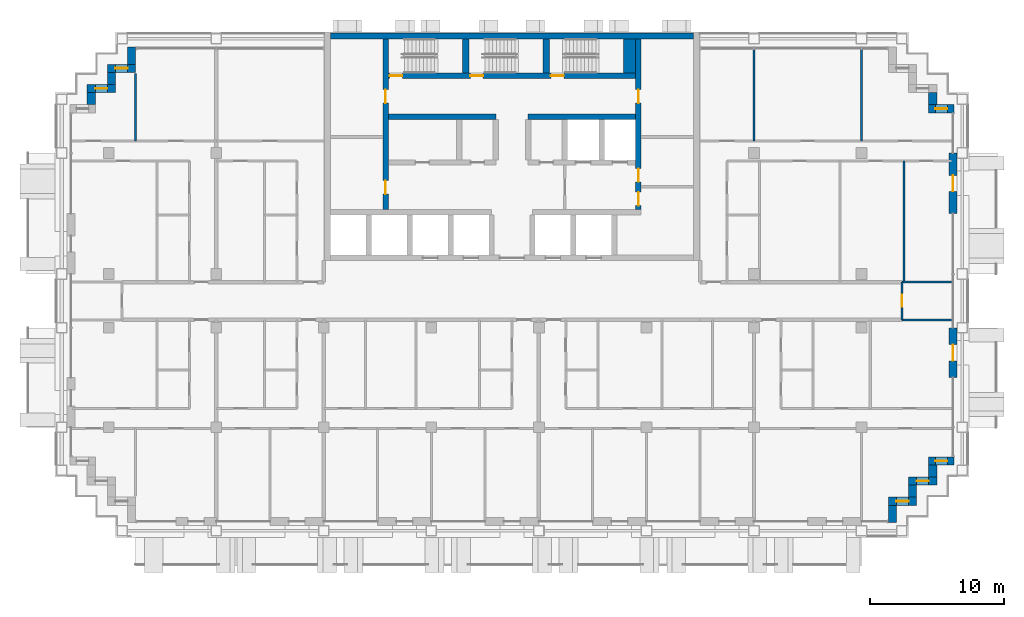
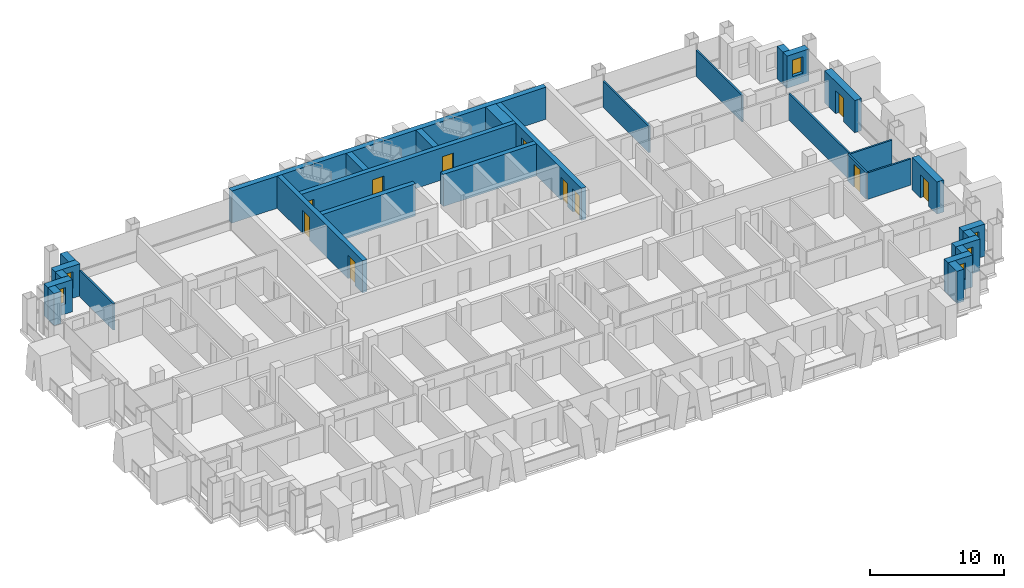
# One storey, part 12 of 18: 31 walls, 11 doors, 6 windows, 17 openings.
"""IFC4 building model written with IfcOpenShell, lengths in metres."""

from ifc_helpers import new_model, si_unit, direction, frame, frame_2d, origin, place, context, subcontext, project, spatial, rectangle, extrude, material, layer, layer_set, type_object, element, fill, save


model = new_model("IFC4")

# Units and contexts
model_context = context("Model", 3, precision=1e-05, world=origin(), true_north=direction((0.0, 1.0)))
body_context = subcontext(model_context, "Body", "Model", "MODEL_VIEW")
ifc_project = project(units=[si_unit("LENGTHUNIT", "METRE"), si_unit("AREAUNIT", "SQUARE_METRE"), si_unit("VOLUMEUNIT", "CUBIC_METRE"), si_unit("PLANEANGLEUNIT", "RADIAN"), si_unit("MASSUNIT", "GRAM", prefix="KILO")], contexts=[model_context])

# Site, building, storey
site_placement = place(None, origin())
site = spatial("IfcSite", under=ifc_project, at=site_placement, CompositionType="ELEMENT")
building_placement = place(site_placement, origin())
building = spatial("IfcBuilding", under=site, at=building_placement, Name="Vidyagriha Tower", CompositionType="ELEMENT")
storey_placement = place(building_placement, frame((0.0, 0.0, 126.199951171875)))
storey = spatial("IfcBuildingStorey", under=building, at=storey_placement, Name="L32", CompositionType="ELEMENT", Elevation=126.199951171875)

# Wall, opening, window
ifc_material_1 = material(Name="Precast concrete C40/50 with brick facing", Category="concrete")
ifc_layer_1 = layer(ifc_material_1, 0.60009765625)
ifc_layer_set_1 = layer_set([ifc_layer_1], Name="Precast concrete C40/50 with brick facing")
wall_type_1 = type_object("IfcWallType", Name="Brick-faced precast wall 600", PredefinedType="STANDARD", material=ifc_layer_set_1)
wall_1_placement = place(storey_placement, frame((32.8798828125, 14.300048828125, 0.0), z_axis=(0.0, 0.0, 1.0), x_axis=(-1.0, 0.0, 0.0)))
wall_1 = element("IfcWall", 1, at=wall_1_placement, inside=storey, type_object=wall_type_1, Name="Stepped corner wall L32 R01", PredefinedType="STANDARD", context=body_context, shape_type="SweptSolid", body=[
    extrude(rectangle(XDim=1.8798828125, YDim=0.60009765625, at=frame_2d((0.93994140625, 0.0))), origin(), (0.0, 0.0, 1.0), 2.920166015625),
])
opening_1_placement = place(wall_1_placement, frame((0.489990234375, 0.0, 0.89990234375)))
opening_1 = element("IfcOpeningElement", 2, at=opening_1_placement, cuts=wall_1, Name="Opening WN1", PredefinedType="OPENING", context=body_context, shape_type="SweptSolid", body=[
    extrude(rectangle(XDim=0.89990234375, YDim=1.5, at=frame_2d((0.449951171875, 0.75))), frame((0.0, 0.31005859375, 0.0), z_axis=(0.0, -1.0, 0.0), x_axis=(1.0, 0.0, 0.0)), (0.0, 0.0, 1.0), 0.6201171875),
])
ifc_material_2 = material(Name="Aluminium and glass window", Category="aluminium")
window_type = type_object("IfcWindowType", Name="Reveal window 900x1500", PartitioningType="NOTDEFINED", PredefinedType="WINDOW", material=ifc_material_2)
window_1_placement = place(opening_1_placement, origin())
window_1 = element("IfcWindow", 3, at=window_1_placement, inside=storey, type_object=window_type, Name="Reveal window L32 R01", OverallHeight=1.5, OverallWidth=0.89990234375, PartitioningType="SINGLE_PANEL", PredefinedType="WINDOW", context=body_context, shape_type="SweptSolid", body=[
    extrude(rectangle(XDim=0.89990234375, YDim=1.5, at=frame_2d((0.449951171875, 0.75))), frame((0.0, 0.030029296875, 0.0), z_axis=(0.0, -1.0, 0.0), x_axis=(1.0, 0.0, 0.0)), (0.0, 0.0, 1.0), 0.06005859375),
])
fill(opening_1, window_1)

# Walls
wall_2_placement = place(storey_placement, frame((31.300048828125, 14.60009765625, 0.0), z_axis=(0.0, 0.0, 1.0), x_axis=(0.0, 1.0, 0.0)))
element("IfcWall", 4, at=wall_2_placement, inside=storey, type_object=wall_type_1, Name="Stepped corner wall L32 R02", PredefinedType="STANDARD", context=body_context, shape_type="SweptSolid", body=[
    extrude(rectangle(XDim=0.89990234375, YDim=0.60009765625, at=frame_2d((0.449951171875, 0.0))), origin(), (0.0, 0.0, 1.0), 2.920166015625),
])
wall_3_placement = place(storey_placement, frame((-28.300048828125, 18.8798828125, 0.0), z_axis=(0.0, 0.0, 1.0), x_axis=(0.0, -1.0, 0.0)))
element("IfcWall", 5, at=wall_3_placement, inside=storey, type_object=wall_type_1, Name="Stepped corner wall L32 R10", PredefinedType="STANDARD", context=body_context, shape_type="SweptSolid", body=[
    extrude(rectangle(XDim=1.27978515625, YDim=0.60009765625, at=frame_2d((0.639892578125, 0.0))), origin(), (0.0, 0.0, 1.0), 2.920166015625),
])

# Wall, opening, window
wall_4_placement = place(storey_placement, frame((-28.0, 17.300048828125, 0.0), z_axis=(0.0, 0.0, 1.0), x_axis=(-1.0, 0.0, 0.0)))
wall_4 = element("IfcWall", 6, at=wall_4_placement, inside=storey, type_object=wall_type_1, Name="Stepped corner wall L32 R11", PredefinedType="STANDARD", context=body_context, shape_type="SweptSolid", body=[
    extrude(rectangle(XDim=2.10009765625, YDim=0.60009765625, at=frame_2d((1.050048828125, 0.0))), origin(), (0.0, 0.0, 1.0), 2.920166015625),
])
opening_2_placement = place(wall_4_placement, frame((0.60009765625, 0.0, 0.89990234375)))
opening_2 = element("IfcOpeningElement", 7, at=opening_2_placement, cuts=wall_4, Name="Opening WN1", PredefinedType="OPENING", context=body_context, shape_type="SweptSolid", body=[
    extrude(rectangle(XDim=0.89990234375, YDim=1.5, at=frame_2d((0.449951171875, 0.75))), frame((0.0, 0.31005859375, 0.0), z_axis=(0.0, -1.0, 0.0), x_axis=(1.0, 0.0, 0.0)), (0.0, 0.0, 1.0), 0.6201171875),
])
window_2_placement = place(opening_2_placement, origin())
window_2 = element("IfcWindow", 8, at=window_2_placement, inside=storey, type_object=window_type, Name="Reveal window L32 R11", OverallHeight=1.5, OverallWidth=0.89990234375, PartitioningType="SINGLE_PANEL", PredefinedType="WINDOW", context=body_context, shape_type="SweptSolid", body=[
    extrude(rectangle(XDim=0.89990234375, YDim=1.5, at=frame_2d((0.449951171875, 0.75))), frame((0.0, 0.030029296875, 0.0), z_axis=(0.0, -1.0, 0.0), x_axis=(1.0, 0.0, 0.0)), (0.0, 0.0, 1.0), 0.06005859375),
])
fill(opening_2, window_2)

# Wall
wall_5_placement = place(storey_placement, frame((-29.800048828125, 17.0, 0.0), z_axis=(0.0, 0.0, 1.0), x_axis=(0.0, -1.0, 0.0)))
element("IfcWall", 9, at=wall_5_placement, inside=storey, type_object=wall_type_1, Name="Stepped corner wall L32 R12", PredefinedType="STANDARD", context=body_context, shape_type="SweptSolid", body=[
    extrude(rectangle(XDim=0.89990234375, YDim=0.60009765625, at=frame_2d((0.449951171875, 0.0))), origin(), (0.0, 0.0, 1.0), 2.920166015625),
])

# Wall, opening, window
wall_6_placement = place(storey_placement, frame((-29.5, 15.800048828125, 0.0), z_axis=(0.0, 0.0, 1.0), x_axis=(-1.0, 0.0, 0.0)))
wall_6 = element("IfcWall", 10, at=wall_6_placement, inside=storey, type_object=wall_type_1, Name="Stepped corner wall L32 R13", PredefinedType="STANDARD", context=body_context, shape_type="SweptSolid", body=[
    extrude(rectangle(XDim=2.10009765625, YDim=0.60009765625, at=frame_2d((1.050048828125, 0.0))), origin(), (0.0, 0.0, 1.0), 2.920166015625),
])
opening_3_placement = place(wall_6_placement, frame((0.60009765625, 0.0, 0.89990234375)))
opening_3 = element("IfcOpeningElement", 11, at=opening_3_placement, cuts=wall_6, Name="Opening WN1", PredefinedType="OPENING", context=body_context, shape_type="SweptSolid", body=[
    extrude(rectangle(XDim=0.89990234375, YDim=1.5, at=frame_2d((0.449951171875, 0.75))), frame((0.0, 0.31005859375, 0.0), z_axis=(0.0, -1.0, 0.0), x_axis=(1.0, 0.0, 0.0)), (0.0, 0.0, 1.0), 0.6201171875),
])
window_3_placement = place(opening_3_placement, origin())
window_3 = element("IfcWindow", 12, at=window_3_placement, inside=storey, type_object=window_type, Name="Reveal window L32 R13", OverallHeight=1.5, OverallWidth=0.89990234375, PartitioningType="SINGLE_PANEL", PredefinedType="WINDOW", context=body_context, shape_type="SweptSolid", body=[
    extrude(rectangle(XDim=0.89990234375, YDim=1.5, at=frame_2d((0.449951171875, 0.75))), frame((0.0, 0.030029296875, 0.0), z_axis=(0.0, -1.0, 0.0), x_axis=(1.0, 0.0, 0.0)), (0.0, 0.0, 1.0), 0.06005859375),
])
fill(opening_3, window_3)

# Walls
wall_7_placement = place(storey_placement, frame((-31.300048828125, 15.5, 0.0), z_axis=(0.0, 0.0, 1.0), x_axis=(0.0, -1.0, 0.0)))
element("IfcWall", 13, at=wall_7_placement, inside=storey, type_object=wall_type_1, Name="Stepped corner wall L32 R14", PredefinedType="STANDARD", context=body_context, shape_type="SweptSolid", body=[
    extrude(rectangle(XDim=0.89990234375, YDim=0.60009765625, at=frame_2d((0.449951171875, 0.0))), origin(), (0.0, 0.0, 1.0), 2.920166015625),
])
wall_8_placement = place(storey_placement, frame((28.300048828125, -16.47998046875, 0.0), z_axis=(0.0, 0.0, 1.0), x_axis=(0.0, 1.0, 0.0)))
element("IfcWall", 14, at=wall_8_placement, inside=storey, type_object=wall_type_1, Name="Stepped corner wall L32 R24", PredefinedType="STANDARD", context=body_context, shape_type="SweptSolid", body=[
    extrude(rectangle(XDim=1.280029296875, YDim=0.60009765625, at=frame_2d((0.64013671875, 0.0))), origin(), (0.0, 0.0, 1.0), 2.920166015625),
])

# Wall, opening, window
wall_9_placement = place(storey_placement, frame((28.0, -14.89990234375, 0.0)))
wall_9 = element("IfcWall", 15, at=wall_9_placement, inside=storey, type_object=wall_type_1, Name="Stepped corner wall L32 R25", PredefinedType="STANDARD", context=body_context, shape_type="SweptSolid", body=[
    extrude(rectangle(XDim=2.10009765625, YDim=0.60009765625, at=frame_2d((1.050048828125, 0.0))), origin(), (0.0, 0.0, 1.0), 2.920166015625),
])
opening_4_placement = place(wall_9_placement, frame((0.60009765625, 0.0, 0.89990234375)))
opening_4 = element("IfcOpeningElement", 16, at=opening_4_placement, cuts=wall_9, Name="Opening WN1", PredefinedType="OPENING", context=body_context, shape_type="SweptSolid", body=[
    extrude(rectangle(XDim=0.89990234375, YDim=1.5, at=frame_2d((0.449951171875, 0.75))), frame((0.0, 0.31005859375, 0.0), z_axis=(0.0, -1.0, 0.0), x_axis=(1.0, 0.0, 0.0)), (0.0, 0.0, 1.0), 0.6201171875),
])
window_4_placement = place(opening_4_placement, origin())
window_4 = element("IfcWindow", 17, at=window_4_placement, inside=storey, type_object=window_type, Name="Reveal window L32 R25", OverallHeight=1.5, OverallWidth=0.89990234375, PartitioningType="SINGLE_PANEL", PredefinedType="WINDOW", context=body_context, shape_type="SweptSolid", body=[
    extrude(rectangle(XDim=0.89990234375, YDim=1.5, at=frame_2d((0.449951171875, 0.75))), frame((0.0, 0.030029296875, 0.0), z_axis=(0.0, -1.0, 0.0), x_axis=(1.0, 0.0, 0.0)), (0.0, 0.0, 1.0), 0.06005859375),
])
fill(opening_4, window_4)

# Wall
wall_10_placement = place(storey_placement, frame((29.800048828125, -14.60009765625, 0.0), z_axis=(0.0, 0.0, 1.0), x_axis=(0.0, 1.0, 0.0)))
element("IfcWall", 18, at=wall_10_placement, inside=storey, type_object=wall_type_1, Name="Stepped corner wall L32 R26", PredefinedType="STANDARD", context=body_context, shape_type="SweptSolid", body=[
    extrude(rectangle(XDim=0.900146484375, YDim=0.60009765625, at=frame_2d((0.4501953125, 0.0))), origin(), (0.0, 0.0, 1.0), 2.920166015625),
])

# Wall, opening, window
wall_11_placement = place(storey_placement, frame((29.5, -13.39990234375, 0.0)))
wall_11 = element("IfcWall", 19, at=wall_11_placement, inside=storey, type_object=wall_type_1, Name="Stepped corner wall L32 R27", PredefinedType="STANDARD", context=body_context, shape_type="SweptSolid", body=[
    extrude(rectangle(XDim=2.10009765625, YDim=0.60009765625, at=frame_2d((1.050048828125, 0.0))), origin(), (0.0, 0.0, 1.0), 2.920166015625),
])
opening_5_placement = place(wall_11_placement, frame((0.60009765625, 0.0, 0.89990234375)))
opening_5 = element("IfcOpeningElement", 20, at=opening_5_placement, cuts=wall_11, Name="Opening WN1", PredefinedType="OPENING", context=body_context, shape_type="SweptSolid", body=[
    extrude(rectangle(XDim=0.89990234375, YDim=1.5, at=frame_2d((0.449951171875, 0.75))), frame((0.0, 0.31005859375, 0.0), z_axis=(0.0, -1.0, 0.0), x_axis=(1.0, 0.0, 0.0)), (0.0, 0.0, 1.0), 0.6201171875),
])
window_5_placement = place(opening_5_placement, origin())
window_5 = element("IfcWindow", 21, at=window_5_placement, inside=storey, type_object=window_type, Name="Reveal window L32 R27", OverallHeight=1.5, OverallWidth=0.89990234375, PartitioningType="SINGLE_PANEL", PredefinedType="WINDOW", context=body_context, shape_type="SweptSolid", body=[
    extrude(rectangle(XDim=0.89990234375, YDim=1.5, at=frame_2d((0.449951171875, 0.75))), frame((0.0, 0.030029296875, 0.0), z_axis=(0.0, -1.0, 0.0), x_axis=(1.0, 0.0, 0.0)), (0.0, 0.0, 1.0), 0.06005859375),
])
fill(opening_5, window_5)

# Wall
wall_12_placement = place(storey_placement, frame((31.300048828125, -13.10009765625, 0.0), z_axis=(0.0, 0.0, 1.0), x_axis=(0.0, 1.0, 0.0)))
element("IfcWall", 22, at=wall_12_placement, inside=storey, type_object=wall_type_1, Name="Stepped corner wall L32 R28", PredefinedType="STANDARD", context=body_context, shape_type="SweptSolid", body=[
    extrude(rectangle(XDim=0.900146484375, YDim=0.60009765625, at=frame_2d((0.4501953125, 0.0))), origin(), (0.0, 0.0, 1.0), 2.920166015625),
])

# Wall, opening, window
wall_13_placement = place(storey_placement, frame((31.0, -11.89990234375, 0.0)))
wall_13 = element("IfcWall", 23, at=wall_13_placement, inside=storey, type_object=wall_type_1, Name="Stepped corner wall L32 R29", PredefinedType="STANDARD", context=body_context, shape_type="SweptSolid", body=[
    extrude(rectangle(XDim=1.8798828125, YDim=0.60009765625, at=frame_2d((0.93994140625, 0.0))), origin(), (0.0, 0.0, 1.0), 2.920166015625),
])
opening_6_placement = place(wall_13_placement, frame((0.489990234375, 0.0, 0.89990234375)))
opening_6 = element("IfcOpeningElement", 24, at=opening_6_placement, cuts=wall_13, Name="Opening WN1", PredefinedType="OPENING", context=body_context, shape_type="SweptSolid", body=[
    extrude(rectangle(XDim=0.89990234375, YDim=1.5, at=frame_2d((0.449951171875, 0.75))), frame((0.0, 0.31005859375, 0.0), z_axis=(0.0, -1.0, 0.0), x_axis=(1.0, 0.0, 0.0)), (0.0, 0.0, 1.0), 0.6201171875),
])
window_6_placement = place(opening_6_placement, origin())
window_6 = element("IfcWindow", 25, at=window_6_placement, inside=storey, type_object=window_type, Name="Reveal window L32 R29", OverallHeight=1.5, OverallWidth=0.89990234375, PartitioningType="SINGLE_PANEL", PredefinedType="WINDOW", context=body_context, shape_type="SweptSolid", body=[
    extrude(rectangle(XDim=0.89990234375, YDim=1.5, at=frame_2d((0.449951171875, 0.75))), frame((0.0, 0.030029296875, 0.0), z_axis=(0.0, -1.0, 0.0), x_axis=(1.0, 0.0, 0.0)), (0.0, 0.0, 1.0), 0.06005859375),
])
fill(opening_6, window_6)

# Wall, opening, door
wall_14_placement = place(storey_placement, frame((32.800048828125, -5.699951171875, 0.0), z_axis=(0.0, 0.0, 1.0), x_axis=(0.0, 1.0, 0.0)))
wall_14 = element("IfcWall", 26, at=wall_14_placement, inside=storey, type_object=wall_type_1, Name="Brick door bay wall L32 R30.3", PredefinedType="STANDARD", context=body_context, shape_type="SweptSolid", body=[
    extrude(rectangle(XDim=3.699951171875, YDim=0.60009765625, at=frame_2d((1.85009765625, 0.0))), origin(), (0.0, 0.0, 1.0), 2.920166015625),
])
opening_7_placement = place(wall_14_placement, frame((1.25, 0.0, 0.0)))
opening_7 = element("IfcOpeningElement", 27, at=opening_7_placement, cuts=wall_14, Name="Opening D32-84", PredefinedType="OPENING", context=body_context, shape_type="SweptSolid", body=[
    extrude(rectangle(XDim=1.199951171875, YDim=2.10009765625, at=frame_2d((0.60009765625, 1.050048828125))), frame((0.0, 0.31005859375, 0.0), z_axis=(0.0, -1.0, 0.0), x_axis=(1.0, 0.0, 0.0)), (0.0, 0.0, 1.0), 0.6201171875),
])
ifc_material_3 = material(Name="Aluminium framed glazed sliding door", Category="aluminium")
door_type_1 = type_object("IfcDoorType", Name="Balcony sliding door 1200x2100", OperationType="NOTDEFINED", PredefinedType="DOOR", material=ifc_material_3)
door_1_placement = place(opening_7_placement, origin())
door_1 = element("IfcDoor", 28, at=door_1_placement, inside=storey, type_object=door_type_1, Name="Door D32-84", OperationType="SLIDING_TO_LEFT", OverallHeight=2.10009765625, OverallWidth=1.199951171875, PredefinedType="DOOR", context=body_context, shape_type="SweptSolid", body=[
    extrude(rectangle(XDim=1.199951171875, YDim=2.10009765625, at=frame_2d((0.60009765625, 1.050048828125))), frame((0.0, 0.02490234375, 0.0), z_axis=(0.0, -1.0, 0.0), x_axis=(1.0, 0.0, 0.0)), (0.0, 0.0, 1.0), 0.050048828125),
])
fill(opening_7, door_1)

wall_15_placement = place(storey_placement, frame((32.800048828125, 6.5, 0.0), z_axis=(0.0, 0.0, 1.0), x_axis=(0.0, 1.0, 0.0)))
wall_15 = element("IfcWall", 29, at=wall_15_placement, inside=storey, type_object=wall_type_1, Name="Brick door bay wall L32 R30.6", PredefinedType="STANDARD", context=body_context, shape_type="SweptSolid", body=[
    extrude(rectangle(XDim=4.5, YDim=0.60009765625, at=frame_2d((2.25, 0.0))), origin(), (0.0, 0.0, 1.0), 2.920166015625),
])
opening_8_placement = place(wall_15_placement, frame((1.64990234375, 0.0, 0.0)))
opening_8 = element("IfcOpeningElement", 30, at=opening_8_placement, cuts=wall_15, Name="Opening D32-85", PredefinedType="OPENING", context=body_context, shape_type="SweptSolid", body=[
    extrude(rectangle(XDim=1.199951171875, YDim=2.10009765625, at=frame_2d((0.60009765625, 1.050048828125))), frame((0.0, 0.31005859375, 0.0), z_axis=(0.0, -1.0, 0.0), x_axis=(1.0, 0.0, 0.0)), (0.0, 0.0, 1.0), 0.6201171875),
])
door_2_placement = place(opening_8_placement, origin())
door_2 = element("IfcDoor", 31, at=door_2_placement, inside=storey, type_object=door_type_1, Name="Door D32-85", OperationType="SLIDING_TO_LEFT", OverallHeight=2.10009765625, OverallWidth=1.199951171875, PredefinedType="DOOR", context=body_context, shape_type="SweptSolid", body=[
    extrude(rectangle(XDim=1.199951171875, YDim=2.10009765625, at=frame_2d((0.60009765625, 1.050048828125))), frame((0.0, 0.02490234375, 0.0), z_axis=(0.0, -1.0, 0.0), x_axis=(1.0, 0.0, 0.0)), (0.0, 0.0, 1.0), 0.050048828125),
])
fill(opening_8, door_2)

# Wall, openings, doors
ifc_material_4 = material(Name="Concrete C60/75", Category="concrete")
ifc_layer_2 = layer(ifc_material_4, 0.39990234375)
ifc_layer_set_2 = layer_set([ifc_layer_2], Name="Concrete C60/75")
wall_type_2 = type_object("IfcWallType", Name="Core shear wall 400 mm", PredefinedType="SHEAR", material=ifc_layer_set_2)
wall_16_placement = place(storey_placement, frame((-9.39990234375, 6.800048828125, 0.0), z_axis=(0.0, 0.0, 1.0), x_axis=(0.0, 1.0, 0.0)))
wall_16 = element("IfcWall", 32, at=wall_16_placement, inside=storey, type_object=wall_type_2, Name="Core west spine wall", PredefinedType="SHEAR", context=body_context, shape_type="SweptSolid", body=[
    extrude(rectangle(XDim=12.699951171875, YDim=0.39990234375, at=frame_2d((6.35009765625, 0.0))), origin(), (0.0, 0.0, 1.0), 2.920166015625),
])
opening_9_placement = place(wall_16_placement, frame((1.14990234375, 0.0, 0.0)))
opening_9 = element("IfcOpeningElement", 33, at=opening_9_placement, cuts=wall_16, Name="Opening D32-09", PredefinedType="OPENING", context=body_context, shape_type="SweptSolid", body=[
    extrude(rectangle(XDim=1.0, YDim=2.10009765625, at=frame_2d((0.5, 1.050048828125))), frame((0.0, 0.2099609375, 0.0), z_axis=(0.0, -1.0, 0.0), x_axis=(1.0, 0.0, 0.0)), (0.0, 0.0, 1.0), 0.419921875),
])
opening_10_placement = place(wall_16_placement, frame((7.925048828125, 0.0, 0.0)))
opening_10 = element("IfcOpeningElement", 34, at=opening_10_placement, cuts=wall_16, Name="Opening D32-10", PredefinedType="OPENING", context=body_context, shape_type="SweptSolid", body=[
    extrude(rectangle(XDim=1.0, YDim=2.10009765625, at=frame_2d((0.5, 1.050048828125))), frame((0.0, 0.2099609375, 0.0), z_axis=(0.0, -1.0, 0.0), x_axis=(1.0, 0.0, 0.0)), (0.0, 0.0, 1.0), 0.419921875),
])
ifc_material_5 = material(Name="Hollow metal door leaf")
door_type_2 = type_object("IfcDoorType", Name="Core room door 1000 x 2100 mm EI 60", OperationType="NOTDEFINED", PredefinedType="DOOR", material=ifc_material_5)
door_3_placement = place(opening_9_placement, frame((1.0, 0.0, 0.0), z_axis=(0.0, 0.0, 1.0), x_axis=(-1.0, 0.0, 0.0)))
door_3 = element("IfcDoor", 35, at=door_3_placement, inside=storey, type_object=door_type_2, Name="Door Switchgear Room 32.W1", OperationType="SINGLE_SWING_RIGHT", OverallHeight=2.10009765625, OverallWidth=1.0, PredefinedType="DOOR", context=body_context, shape_type="SweptSolid", body=[
    extrude(rectangle(XDim=1.0, YDim=2.10009765625, at=frame_2d((0.5, 1.050048828125))), frame((0.0, 0.02490234375, 0.0), z_axis=(0.0, -1.0, 0.0), x_axis=(1.0, 0.0, 0.0)), (0.0, 0.0, 1.0), 0.050048828125),
])
fill(opening_9, door_3)
door_4_placement = place(opening_10_placement, frame((1.0, 0.0, 0.0), z_axis=(0.0, 0.0, 1.0), x_axis=(-1.0, 0.0, 0.0)))
door_4 = element("IfcDoor", 36, at=door_4_placement, inside=storey, type_object=door_type_2, Name="Door Communications Room 32.W2", OperationType="SINGLE_SWING_LEFT", OverallHeight=2.10009765625, OverallWidth=1.0, PredefinedType="DOOR", context=body_context, shape_type="SweptSolid", body=[
    extrude(rectangle(XDim=1.0, YDim=2.10009765625, at=frame_2d((0.5, 1.050048828125))), frame((0.0, 0.02490234375, 0.0), z_axis=(0.0, -1.0, 0.0), x_axis=(1.0, 0.0, 0.0)), (0.0, 0.0, 1.0), 0.050048828125),
])
fill(opening_10, door_4)

wall_17_placement = place(storey_placement, frame((9.39990234375, 6.800048828125, 0.0), z_axis=(0.0, 0.0, 1.0), x_axis=(0.0, 1.0, 0.0)))
wall_17 = element("IfcWall", 37, at=wall_17_placement, inside=storey, type_object=wall_type_2, Name="Core east spine wall", PredefinedType="SHEAR", context=body_context, shape_type="SweptSolid", body=[
    extrude(rectangle(XDim=12.699951171875, YDim=0.39990234375, at=frame_2d((6.35009765625, 0.0))), origin(), (0.0, 0.0, 1.0), 2.920166015625),
])
opening_11_placement = place(wall_17_placement, frame((0.300048828125, 0.0, 0.0)))
opening_11 = element("IfcOpeningElement", 38, at=opening_11_placement, cuts=wall_17, Name="Opening D32-11", PredefinedType="OPENING", context=body_context, shape_type="SweptSolid", body=[
    extrude(rectangle(XDim=1.0, YDim=2.10009765625, at=frame_2d((0.5, 1.050048828125))), frame((0.0, 0.2099609375, 0.0), z_axis=(0.0, -1.0, 0.0), x_axis=(1.0, 0.0, 0.0)), (0.0, 0.0, 1.0), 0.419921875),
])
opening_12_placement = place(wall_17_placement, frame((2.050048828125, 0.0, 0.0)))
opening_12 = element("IfcOpeningElement", 39, at=opening_12_placement, cuts=wall_17, Name="Opening D32-12", PredefinedType="OPENING", context=body_context, shape_type="SweptSolid", body=[
    extrude(rectangle(XDim=1.0, YDim=2.10009765625, at=frame_2d((0.5, 1.050048828125))), frame((0.0, 0.2099609375, 0.0), z_axis=(0.0, -1.0, 0.0), x_axis=(1.0, 0.0, 0.0)), (0.0, 0.0, 1.0), 0.419921875),
])
opening_13_placement = place(wall_17_placement, frame((7.925048828125, 0.0, 0.0)))
opening_13 = element("IfcOpeningElement", 40, at=opening_13_placement, cuts=wall_17, Name="Opening D32-13", PredefinedType="OPENING", context=body_context, shape_type="SweptSolid", body=[
    extrude(rectangle(XDim=1.0, YDim=2.10009765625, at=frame_2d((0.5, 1.050048828125))), frame((0.0, 0.2099609375, 0.0), z_axis=(0.0, -1.0, 0.0), x_axis=(1.0, 0.0, 0.0)), (0.0, 0.0, 1.0), 0.419921875),
])
door_5_placement = place(opening_11_placement, origin())
door_5 = element("IfcDoor", 41, at=door_5_placement, inside=storey, type_object=door_type_2, Name="Door Electrical Room 32.E1", OperationType="SINGLE_SWING_RIGHT", OverallHeight=2.10009765625, OverallWidth=1.0, PredefinedType="DOOR", context=body_context, shape_type="SweptSolid", body=[
    extrude(rectangle(XDim=1.0, YDim=2.10009765625, at=frame_2d((0.5, 1.050048828125))), frame((0.0, 0.02490234375, 0.0), z_axis=(0.0, -1.0, 0.0), x_axis=(1.0, 0.0, 0.0)), (0.0, 0.0, 1.0), 0.050048828125),
])
fill(opening_11, door_5)
door_6_placement = place(opening_12_placement, origin())
door_6 = element("IfcDoor", 42, at=door_6_placement, inside=storey, type_object=door_type_2, Name="Door Refuse Room 32.E2", OperationType="SINGLE_SWING_LEFT", OverallHeight=2.10009765625, OverallWidth=1.0, PredefinedType="DOOR", context=body_context, shape_type="SweptSolid", body=[
    extrude(rectangle(XDim=1.0, YDim=2.10009765625, at=frame_2d((0.5, 1.050048828125))), frame((0.0, 0.02490234375, 0.0), z_axis=(0.0, -1.0, 0.0), x_axis=(1.0, 0.0, 0.0)), (0.0, 0.0, 1.0), 0.050048828125),
])
fill(opening_12, door_6)
door_7_placement = place(opening_13_placement, origin())
door_7 = element("IfcDoor", 43, at=door_7_placement, inside=storey, type_object=door_type_2, Name="Door Mechanical Riser Room 32.E3", OperationType="SINGLE_SWING_LEFT", OverallHeight=2.10009765625, OverallWidth=1.0, PredefinedType="DOOR", context=body_context, shape_type="SweptSolid", body=[
    extrude(rectangle(XDim=1.0, YDim=2.10009765625, at=frame_2d((0.5, 1.050048828125))), frame((0.0, 0.02490234375, 0.0), z_axis=(0.0, -1.0, 0.0), x_axis=(1.0, 0.0, 0.0)), (0.0, 0.0, 1.0), 0.050048828125),
])
fill(opening_13, door_7)

# Walls
for number, where, name in (
    (44, (-9.199951171875, 13.699951171875, 0.0), "Core row N rear wall"),
    (45, (1.199951171875, 13.699951171875, 0.0), "Core row N rear wall"),
):
    element("IfcWall", number, at=place(storey_placement, frame(where)), inside=storey, type_object=wall_type_2, Name=name, PredefinedType="SHEAR", context=body_context, shape_type="SweptSolid", body=[
        extrude(rectangle(XDim=8.0, YDim=0.39990234375, at=frame_2d((4.0, 0.0))), origin(), (0.0, 0.0, 1.0), 2.920166015625),
    ])

# Wall, openings, doors
wall_18_placement = place(storey_placement, frame((-9.199951171875, 16.75, 0.0)))
wall_18 = element("IfcWall", 46, at=wall_18_placement, inside=storey, type_object=wall_type_2, Name="Stair front wall", PredefinedType="SHEAR", context=body_context, shape_type="SweptSolid", body=[
    extrude(rectangle(XDim=18.39990234375, YDim=0.39990234375, at=frame_2d((9.199951171875, 0.0))), origin(), (0.0, 0.0, 1.0), 2.920166015625),
])
opening_14_placement = place(wall_18_placement, frame((0.10009765625, 0.0, 0.0)))
opening_14 = element("IfcOpeningElement", 47, at=opening_14_placement, cuts=wall_18, Name="Opening D32-06", PredefinedType="OPENING", context=body_context, shape_type="SweptSolid", body=[
    extrude(rectangle(XDim=0.949951171875, YDim=2.10009765625, at=frame_2d((0.47509765625, 1.050048828125))), frame((0.0, 0.2099609375, 0.0), z_axis=(0.0, -1.0, 0.0), x_axis=(1.0, 0.0, 0.0)), (0.0, 0.0, 1.0), 0.419921875),
])
opening_15_placement = place(wall_18_placement, frame((6.10009765625, 0.0, 0.0)))
opening_15 = element("IfcOpeningElement", 48, at=opening_15_placement, cuts=wall_18, Name="Opening D32-07", PredefinedType="OPENING", context=body_context, shape_type="SweptSolid", body=[
    extrude(rectangle(XDim=0.949951171875, YDim=2.10009765625, at=frame_2d((0.47509765625, 1.050048828125))), frame((0.0, 0.2099609375, 0.0), z_axis=(0.0, -1.0, 0.0), x_axis=(1.0, 0.0, 0.0)), (0.0, 0.0, 1.0), 0.419921875),
])
opening_16_placement = place(wall_18_placement, frame((12.10009765625, 0.0, 0.0)))
opening_16 = element("IfcOpeningElement", 49, at=opening_16_placement, cuts=wall_18, Name="Opening D32-08", PredefinedType="OPENING", context=body_context, shape_type="SweptSolid", body=[
    extrude(rectangle(XDim=0.949951171875, YDim=2.10009765625, at=frame_2d((0.47509765625, 1.050048828125))), frame((0.0, 0.2099609375, 0.0), z_axis=(0.0, -1.0, 0.0), x_axis=(1.0, 0.0, 0.0)), (0.0, 0.0, 1.0), 0.419921875),
])
ifc_material_6 = material(Name="Hollow metal door leaf")
door_type_3 = type_object("IfcDoorType", Name="Exit stair door 950 x 2100 mm EI 90", OperationType="NOTDEFINED", PredefinedType="DOOR", material=ifc_material_6)
door_8_placement = place(opening_14_placement, origin())
door_8 = element("IfcDoor", 50, at=door_8_placement, inside=storey, type_object=door_type_3, Name="Stair door ST1 L32", OperationType="SINGLE_SWING_LEFT", OverallHeight=2.10009765625, OverallWidth=0.949951171875, PredefinedType="DOOR", context=body_context, shape_type="SweptSolid", body=[
    extrude(rectangle(XDim=0.949951171875, YDim=2.10009765625, at=frame_2d((0.47509765625, 1.050048828125))), frame((0.0, 0.02490234375, 0.0), z_axis=(0.0, -1.0, 0.0), x_axis=(1.0, 0.0, 0.0)), (0.0, 0.0, 1.0), 0.050048828125),
])
fill(opening_14, door_8)
door_9_placement = place(opening_15_placement, origin())
door_9 = element("IfcDoor", 51, at=door_9_placement, inside=storey, type_object=door_type_3, Name="Stair door ST2 L32", OperationType="SINGLE_SWING_LEFT", OverallHeight=2.10009765625, OverallWidth=0.949951171875, PredefinedType="DOOR", context=body_context, shape_type="SweptSolid", body=[
    extrude(rectangle(XDim=0.949951171875, YDim=2.10009765625, at=frame_2d((0.47509765625, 1.050048828125))), frame((0.0, 0.02490234375, 0.0), z_axis=(0.0, -1.0, 0.0), x_axis=(1.0, 0.0, 0.0)), (0.0, 0.0, 1.0), 0.050048828125),
])
fill(opening_15, door_9)
door_10_placement = place(opening_16_placement, origin())
door_10 = element("IfcDoor", 52, at=door_10_placement, inside=storey, type_object=door_type_3, Name="Stair door ST3 L32", OperationType="SINGLE_SWING_LEFT", OverallHeight=2.10009765625, OverallWidth=0.949951171875, PredefinedType="DOOR", context=body_context, shape_type="SweptSolid", body=[
    extrude(rectangle(XDim=0.949951171875, YDim=2.10009765625, at=frame_2d((0.47509765625, 1.050048828125))), frame((0.0, 0.02490234375, 0.0), z_axis=(0.0, -1.0, 0.0), x_axis=(1.0, 0.0, 0.0)), (0.0, 0.0, 1.0), 0.050048828125),
])
fill(opening_16, door_10)

# Walls
ifc_material_7 = material(Name="Concrete C60/75", Category="concrete")
ifc_layer_3 = layer(ifc_material_7, 0.449951171875)
ifc_layer_set_3 = layer_set([ifc_layer_3], Name="Concrete C60/75")
wall_type_3 = type_object("IfcWallType", Name="Core shear wall 450 mm", PredefinedType="SHEAR", material=ifc_layer_set_3)
wall_19_placement = place(storey_placement, frame((-13.5, 19.72509765625, 0.0)))
element("IfcWall", 53, at=wall_19_placement, inside=storey, type_object=wall_type_3, Name="Core north wall", PredefinedType="SHEAR", context=body_context, shape_type="SweptSolid", body=[
    extrude(rectangle(XDim=27.0, YDim=0.449951171875, at=frame_2d((13.5, 0.0))), origin(), (0.0, 0.0, 1.0), 2.920166015625),
])
ifc_material_8 = material(Name="Concrete C60/75", Category="concrete")
ifc_layer_4 = layer(ifc_material_8, 0.5)
ifc_layer_set_4 = layer_set([ifc_layer_4], Name="Concrete C60/75")
wall_type_4 = type_object("IfcWallType", Name="Core shear wall 500 mm", PredefinedType="SHEAR", material=ifc_layer_set_4)
for number, where, z_axis, x_axis, name in (
    (54, (-3.449951171875, 16.949951171875, 0.0), (0.0, 0.0, 1.0), (0.0, 1.0, 0.0), "Stair partition wall 1"),
    (55, (2.550048828125, 16.949951171875, 0.0), (0.0, 0.0, 1.0), (0.0, 1.0, 0.0), "Stair partition wall 2"),
):
    element("IfcWall", number, at=place(storey_placement, frame(where, z_axis=z_axis, x_axis=x_axis)), inside=storey, type_object=wall_type_4, Name=name, PredefinedType="SHEAR", context=body_context, shape_type="SweptSolid", body=[
        extrude(rectangle(XDim=2.550048828125, YDim=0.5, at=frame_2d((1.27490234375, 0.0))), origin(), (0.0, 0.0, 1.0), 2.920166015625),
    ])
ifc_material_9 = material(Name="Concrete C60/75", Category="concrete")
ifc_layer_5 = layer(ifc_material_9, 0.89990234375)
ifc_layer_set_5 = layer_set([ifc_layer_5], Name="Concrete C60/75")
wall_type_5 = type_object("IfcWallType", Name="Core shear wall 900 mm", PredefinedType="SHEAR", material=ifc_layer_set_5)
wall_20_placement = place(storey_placement, frame((8.75, 16.949951171875, 0.0), z_axis=(0.0, 0.0, 1.0), x_axis=(0.0, 1.0, 0.0)))
element("IfcWall", 56, at=wall_20_placement, inside=storey, type_object=wall_type_5, Name="Stair end wall", PredefinedType="SHEAR", context=body_context, shape_type="SweptSolid", body=[
    extrude(rectangle(XDim=2.550048828125, YDim=0.89990234375, at=frame_2d((1.27490234375, 0.0))), origin(), (0.0, 0.0, 1.0), 2.920166015625),
])
ifc_material_10 = material(Name="Gypsum board partition")
ifc_layer_6 = layer(ifc_material_10, 0.14990234375)
ifc_layer_set_6 = layer_set([ifc_layer_6], Name="Gypsum board partition")
wall_type_6 = type_object("IfcWallType", Name="Gypsum board partition 150", PredefinedType="PARTITIONING", material=ifc_layer_set_6)
wall_21_placement = place(storey_placement, frame((32.719970703125, -1.39990234375, 0.0), z_axis=(0.0, 0.0, 1.0), x_axis=(-1.0, 0.0, 0.0)))
element("IfcWall", 57, at=wall_21_placement, inside=storey, type_object=wall_type_6, Name="Wall all-L32-w086", PredefinedType="PARTITIONING", context=body_context, shape_type="SweptSolid", body=[
    extrude(rectangle(XDim=3.719970703125, YDim=0.14990234375, at=frame_2d((1.85986328125, 0.0))), origin(), (0.0, 0.0, 1.0), 2.400146484375),
])
wall_22_placement = place(storey_placement, frame((-28.0, 16.919921875, 0.0), z_axis=(0.0, 0.0, 1.0), x_axis=(0.0, -1.0, 0.0)))
element("IfcWall", 58, at=wall_22_placement, inside=storey, type_object=wall_type_6, Name="Wall all-L32-w097", PredefinedType="PARTITIONING", context=body_context, shape_type="SweptSolid", body=[
    extrude(rectangle(XDim=5.02001953125, YDim=0.14990234375, at=frame_2d((2.510009765625, 0.0))), origin(), (0.0, 0.0, 1.0), 2.400146484375),
])
wall_23_placement = place(storey_placement, frame((29.14990234375, 10.39990234375, 0.0), z_axis=(0.0, 0.0, 1.0), x_axis=(0.0, -1.0, 0.0)))
element("IfcWall", 59, at=wall_23_placement, inside=storey, type_object=wall_type_6, Name="Wall all-L32-w118", PredefinedType="PARTITIONING", context=body_context, shape_type="SweptSolid", body=[
    extrude(rectangle(XDim=9.0, YDim=0.14990234375, at=frame_2d((4.5, 0.0))), origin(), (0.0, 0.0, 1.0), 2.400146484375),
])
for number, where, z_axis, x_axis, name in (
    (60, (18.0, 18.720947265625, 0.0), (0.0, 0.0, 1.0), (0.0, -1.0, 0.0), "Wall all-L32-w127"),
    (61, (26.0, 18.720947265625, 0.0), (0.0, 0.0, 1.0), (0.0, -1.0, 0.0), "Wall all-L32-w128"),
):
    element("IfcWall", number, at=place(storey_placement, frame(where, z_axis=z_axis, x_axis=x_axis)), inside=storey, type_object=wall_type_6, Name=name, PredefinedType="PARTITIONING", context=body_context, shape_type="SweptSolid", body=[
        extrude(rectangle(XDim=6.821044921875, YDim=0.14990234375, at=frame_2d((3.41064453125, 0.0))), origin(), (0.0, 0.0, 1.0), 2.400146484375),
    ])
wall_24_placement = place(storey_placement, frame((29.0, 1.39990234375, 0.0)))
element("IfcWall", 62, at=wall_24_placement, inside=storey, type_object=wall_type_6, Name="Wall all-L32-w131", PredefinedType="PARTITIONING", context=body_context, shape_type="SweptSolid", body=[
    extrude(rectangle(XDim=3.719970703125, YDim=0.14990234375, at=frame_2d((1.85986328125, 0.0))), origin(), (0.0, 0.0, 1.0), 2.400146484375),
])

# Wall, opening, door
wall_25_placement = place(storey_placement, frame((29.0, -1.39990234375, 0.0), z_axis=(0.0, 0.0, 1.0), x_axis=(0.0, 1.0, 0.0)))
wall_25 = element("IfcWall", 63, at=wall_25_placement, inside=storey, type_object=wall_type_6, Name="Wall all-L32-w134", PredefinedType="PARTITIONING", context=body_context, shape_type="SweptSolid", body=[
    extrude(rectangle(XDim=2.7998046875, YDim=0.14990234375, at=frame_2d((1.39990234375, 0.0))), origin(), (0.0, 0.0, 1.0), 2.400146484375),
])
opening_17_placement = place(wall_25_placement, frame((0.949951171875, 0.0, 0.0)))
opening_17 = element("IfcOpeningElement", 64, at=opening_17_placement, cuts=wall_25, Name="Opening D32-74", PredefinedType="OPENING", context=body_context, shape_type="SweptSolid", body=[
    extrude(rectangle(XDim=0.89990234375, YDim=2.10009765625, at=frame_2d((0.449951171875, 1.050048828125))), frame((0.0, 0.0849609375, 0.0), z_axis=(0.0, -1.0, 0.0), x_axis=(1.0, 0.0, 0.0)), (0.0, 0.0, 1.0), 0.169921875),
])
ifc_material_11 = material(Name="Timber door leaf", Category="wood")
door_type_4 = type_object("IfcDoorType", Name="Room door 900x2100", OperationType="NOTDEFINED", PredefinedType="DOOR", material=ifc_material_11)
door_11_placement = place(opening_17_placement, origin())
door_11 = element("IfcDoor", 65, at=door_11_placement, inside=storey, type_object=door_type_4, Name="Door D32-74", OperationType="SINGLE_SWING_RIGHT", OverallHeight=2.10009765625, OverallWidth=0.89990234375, PredefinedType="DOOR", context=body_context, shape_type="SweptSolid", body=[
    extrude(rectangle(XDim=0.89990234375, YDim=2.10009765625, at=frame_2d((0.449951171875, 1.050048828125))), frame((0.0, 0.02490234375, 0.0), z_axis=(0.0, -1.0, 0.0), x_axis=(1.0, 0.0, 0.0)), (0.0, 0.0, 1.0), 0.050048828125),
])
fill(opening_17, door_11)

save(model, "model.ifc")
